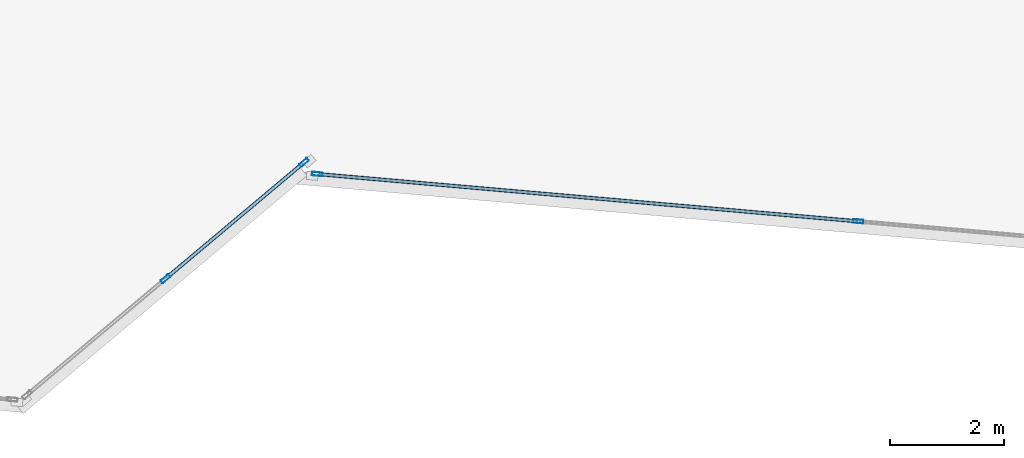
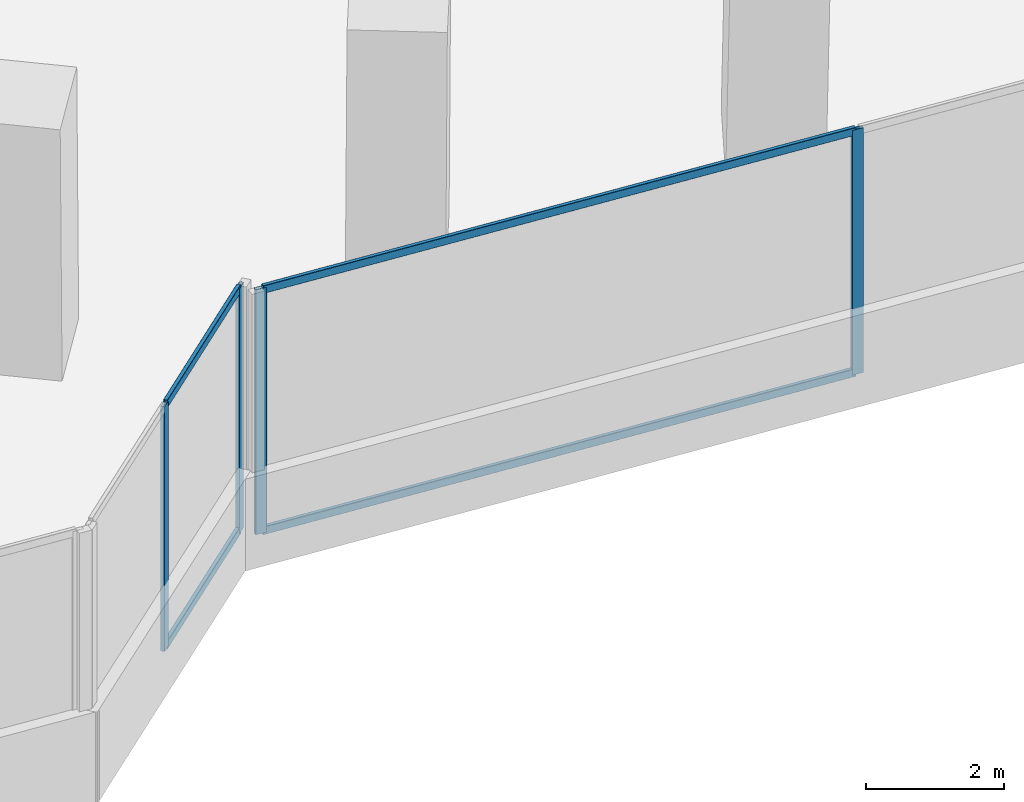
# One storey, part 8 of 24: 8 members, 2 elements without a shape of their own.
"""IFC4 building model written with IfcOpenShell, lengths in metres."""

from ifc_helpers import new_model, si_unit, direction, frame, origin, origin_2d, place, context, subcontext, project, spatial, hollow_rectangle, extrude, source, transform, mapped, material, material_profile, profile_set, type_object, element, aggregate, save


model = new_model("IFC4")

# Units and contexts
model_context = context("Model", 3, precision=1e-05, world=origin(), true_north=direction((0.0, 1.0)))
body_context = subcontext(model_context, "Body", "Model", "MODEL_VIEW")
ifc_project = project(units=[si_unit("LENGTHUNIT", "METRE"), si_unit("AREAUNIT", "SQUARE_METRE"), si_unit("VOLUMEUNIT", "CUBIC_METRE"), si_unit("PLANEANGLEUNIT", "RADIAN"), si_unit("MASSUNIT", "GRAM", prefix="KILO")], contexts=[model_context])

# Site, building, storey
site_placement = place(None, origin())
site = spatial("IfcSite", under=ifc_project, at=site_placement, CompositionType="ELEMENT")
building_placement = place(site_placement, origin())
building = spatial("IfcBuilding", under=site, at=building_placement, Name="Torre Montelarca", CompositionType="ELEMENT")
storey_placement = place(building_placement, frame((0.0, 0.0, 52.0)))
storey = spatial("IfcBuildingStorey", under=building, at=storey_placement, Name="L11", CompositionType="ELEMENT", Elevation=52.0)

# Curtain wall, members
ifc_material_1 = material(Name="Insulated low-E laminated glass", Category="glass")
curtain_wall_type = type_object("IfcCurtainWallType", Name="CW-SYS-Z1", PredefinedType="USERDEFINED", material=ifc_material_1)
curtain_wall_1_placement = place(storey_placement, origin())
curtain_wall_1 = element("IfcCurtainWall", 1, at=curtain_wall_1_placement, inside=storey, type_object=curtain_wall_type, Name="L11 Curtain Wall Run CW-T3-L11-E02-B1", ObjectType="UNITISED GLAZING", PredefinedType="USERDEFINED")
ifc_material_2 = material(Name="Anodised aluminium AA 6063-T6", Category="aluminium")
ifc_material_profile_1 = material_profile(ifc_material_2, hollow_rectangle(XDim=0.06494140625, YDim=0.179931640625, WallThickness=0.00390625, InnerFilletRadius=0.00390625, OuterFilletRadius=0.008056640625, at=origin_2d()), Name="ALU65X180X4", Category="aluminium")
ifc_profile_set_1 = profile_set([ifc_material_profile_1], Name="Anodised aluminium AA 6063-T6")
member_type_1 = type_object("IfcMemberType", Name="CWM-ALU180", PredefinedType="MULLION", material=ifc_profile_set_1)
shared_shape_1 = source(origin(), body_context, "Body", "SweptSolid", [
    extrude(hollow_rectangle(XDim=0.06494140625, YDim=0.179931640625, WallThickness=0.00390625, InnerFilletRadius=0.00390625, OuterFilletRadius=0.008056640625, at=origin_2d()), origin(), (0.0, 0.0, 1.0), 4.320068359375),
])
member_1_placement = place(storey_placement, frame((33.267333984375, 15.1826171875, 0.0), z_axis=(0.0, 0.0, 1.0), x_axis=(-0.642777937498, 0.766052558945, 0.0)))
member_1 = element("IfcMember", 2, at=member_1_placement, type_object=member_type_1, Name="CW mullion 2", PredefinedType="MULLION", context=body_context, shape_type="MappedRepresentation", body=[
    mapped(shared_shape_1, transform((0.0, 0.0, 0.0), scale=1.0)),
])
member_2_placement = place(storey_placement, frame((35.69384765625, 17.218505859375, 0.0), z_axis=(0.0, 0.0, 1.0), x_axis=(-0.642777937498, 0.766052558945, 0.0)))
member_2 = element("IfcMember", 3, at=member_2_placement, type_object=member_type_1, Name="CW mullion 3", PredefinedType="MULLION", context=body_context, shape_type="MappedRepresentation", body=[
    mapped(shared_shape_1, transform((0.0, 0.0, 0.0), scale=1.0)),
])

curtain_wall_2_placement = place(storey_placement, origin())
curtain_wall_2 = element("IfcCurtainWall", 4, at=curtain_wall_2_placement, inside=storey, type_object=curtain_wall_type, Name="L11 Curtain Wall Run CW-T3-L11-E04-B1", ObjectType="UNITISED GLAZING", PredefinedType="USERDEFINED")
member_3_placement = place(storey_placement, frame((35.923583984375, 17.015869140625, 0.0), z_axis=(0.0, 0.0, 1.0), x_axis=(0.087161882244, 0.996194160936, 0.0)))
member_3 = element("IfcMember", 5, at=member_3_placement, type_object=member_type_1, Name="CW mullion 1", PredefinedType="MULLION", context=body_context, shape_type="MappedRepresentation", body=[
    mapped(shared_shape_1, transform((0.0, 0.0, 0.0), scale=1.0)),
])
member_4_placement = place(storey_placement, frame((45.40087890625, 16.186767578125, 0.0), z_axis=(0.0, 0.0, 1.0), x_axis=(0.087161882244, 0.996194160936, 0.0)))
member_4 = element("IfcMember", 6, at=member_4_placement, type_object=member_type_1, Name="CW mullion 2", PredefinedType="MULLION", context=body_context, shape_type="MappedRepresentation", body=[
    mapped(shared_shape_1, transform((0.0, 0.0, 0.0), scale=1.0)),
])

# Member
ifc_material_profile_2 = material_profile(ifc_material_2, hollow_rectangle(XDim=0.06494140625, YDim=0.139892578125, WallThickness=0.00390625, InnerFilletRadius=0.00390625, OuterFilletRadius=0.008056640625, at=origin_2d()), Name="ALU65X140X4", Category="aluminium")
ifc_profile_set_2 = profile_set([ifc_material_profile_2], Name="Anodised aluminium AA 6063-T6")
member_type_2 = type_object("IfcMemberType", Name="CWT-ALU140", PredefinedType="USERDEFINED", material=ifc_profile_set_2)
shared_shape_2 = source(origin(), body_context, "Body", "SweptSolid", [
    extrude(hollow_rectangle(XDim=0.06494140625, YDim=0.139892578125, WallThickness=0.00390625, InnerFilletRadius=0.00390625, OuterFilletRadius=0.008056640625, at=origin_2d()), origin(), (0.0, 0.0, 1.0), 3.1025390625),
])
member_5_placement = place(storey_placement, frame((33.292236328125, 15.203369140625, 0.032470703125), z_axis=(0.766030296988, 0.642804468012, 0.0), x_axis=(-0.642804468012, 0.766030296988, 0.0)))
member_5 = element("IfcMember", 7, at=member_5_placement, type_object=member_type_2, Name="CW transom 2.1", ObjectType="TRANSOM", PredefinedType="USERDEFINED", context=body_context, shape_type="MappedRepresentation", body=[
    mapped(shared_shape_2, transform((0.0, 0.0, 0.0), scale=1.0)),
])

member_6_placement = place(storey_placement, frame((33.292236328125, 15.203369140625, 4.28759765625), z_axis=(0.766030296988, 0.642804468012, 0.0), x_axis=(-0.642804468012, 0.766030296988, 0.0)))
member_6 = element("IfcMember", 8, at=member_6_placement, type_object=member_type_2, Name="CW transom 2.2", ObjectType="TRANSOM", PredefinedType="USERDEFINED", context=body_context, shape_type="MappedRepresentation", body=[
    mapped(shared_shape_2, transform((0.0, 0.0, 0.0), scale=1.0)),
])

aggregate(curtain_wall_1, [member_1, member_2, member_5, member_6])

shared_shape_3 = source(origin(), body_context, "Body", "SweptSolid", [
    extrude(hollow_rectangle(XDim=0.06494140625, YDim=0.139892578125, WallThickness=0.00390625, InnerFilletRadius=0.00390625, OuterFilletRadius=0.008056640625, at=origin_2d()), origin(), (0.0, 0.0, 1.0), 9.448486328125),
])
member_7_placement = place(storey_placement, frame((35.955810546875, 17.01318359375, 0.032470703125), z_axis=(0.996194783193, -0.087154770029, 0.0), x_axis=(0.087154770029, 0.996194783193, 0.0)))
member_7 = element("IfcMember", 9, at=member_7_placement, type_object=member_type_2, Name="CW transom 1.1", ObjectType="TRANSOM", PredefinedType="USERDEFINED", context=body_context, shape_type="MappedRepresentation", body=[
    mapped(shared_shape_3, transform((0.0, 0.0, 0.0), scale=1.0)),
])

member_8_placement = place(storey_placement, frame((35.955810546875, 17.01318359375, 4.28759765625), z_axis=(0.996194783193, -0.087154770029, 0.0), x_axis=(0.087154770029, 0.996194783193, 0.0)))
member_8 = element("IfcMember", 10, at=member_8_placement, type_object=member_type_2, Name="CW transom 1.2", ObjectType="TRANSOM", PredefinedType="USERDEFINED", context=body_context, shape_type="MappedRepresentation", body=[
    mapped(shared_shape_3, transform((0.0, 0.0, 0.0), scale=1.0)),
])

aggregate(curtain_wall_2, [member_3, member_4, member_7, member_8])

save(model, "model.ifc")
